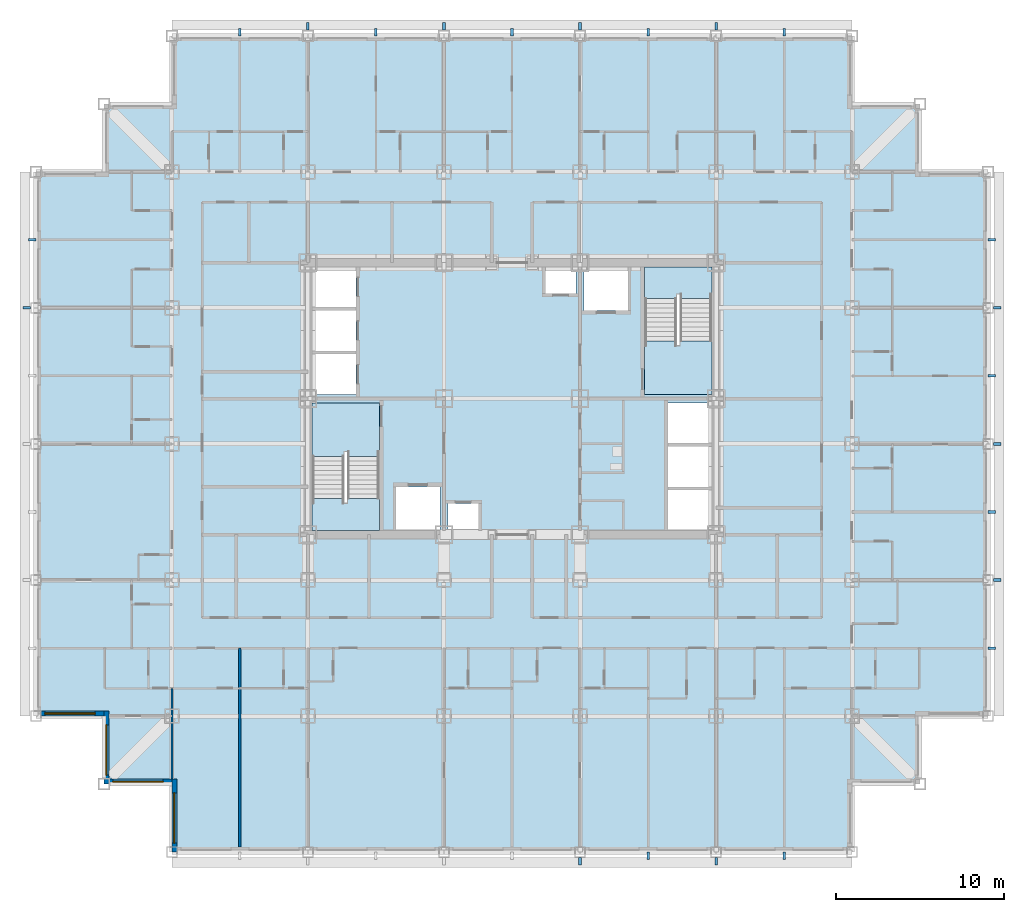
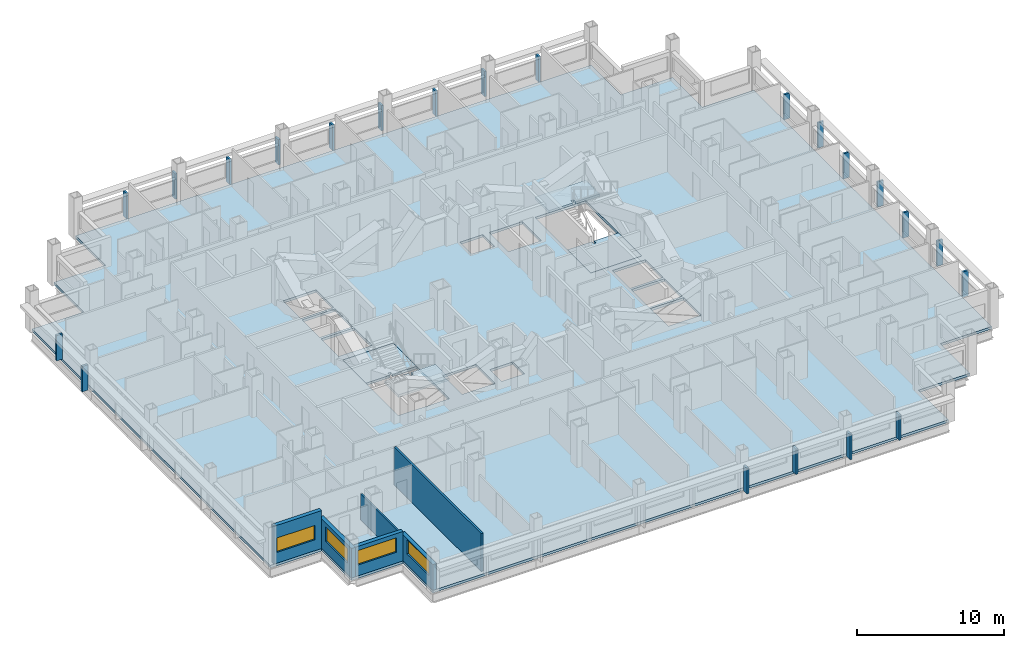
# One storey, part 3 of 15: 22 plates, 6 walls, 5 slabs, 4 windows, 4 openings, 2 elements without a shape of their own.
"""IFC4 building model written with IfcOpenShell, lengths in metres."""

import ifcopenshell
import ifcopenshell.guid

model = None  # the IFC model being written
_history = None  # IfcOwnerHistory: only IFC2X3 demands one
_inside = {}  # id of a spatial element -> (the spatial element, [elements in it])
_under = {}  # id of a project, library or spatial element -> (it, [spatial elements below it])
_declared = {}  # id of a project -> (the project, [libraries it declares])
_typed = {}  # id of a type object -> (the type object, [elements of that type])
_made_of = {}  # id of a material, layer set ... -> (it, [elements and type objects made of it])


def new_model(schema):
    """Start an empty IFC model of exactly this schema.

    Asked for "IFC4X3", IfcOpenShell would pick the latest addendum, in which some entities
    have other attributes; the version numbers below select the first issue.
    IFC2X3 requires an IfcOwnerHistory on every rooted entity: one is made here for all.
    """
    global model, _history
    if schema == "IFC4X3":
        model = ifcopenshell.file(schema_version=(4, 3, 0, 0))
    else:
        model = ifcopenshell.file(schema=schema)
    _inside.clear()
    _under.clear()
    _declared.clear()
    _typed.clear()
    _made_of.clear()
    _history = None
    if model.schema == "IFC2X3":
        org = make("IfcOrganization", Name="unknown")
        user = make(
            "IfcPersonAndOrganization",
            ThePerson=make("IfcPerson", FamilyName="unknown"),
            TheOrganization=org,
        )
        app = make(
            "IfcApplication",
            ApplicationDeveloper=org,
            Version="unknown",
            ApplicationFullName="unknown",
            ApplicationIdentifier="unknown",
        )
        _history = make(
            "IfcOwnerHistory",
            OwningUser=user,
            OwningApplication=app,
            ChangeAction="ADDED",
            CreationDate=0,
        )
    return model


def make(cls, **values):
    """One entity of the class cls with the attributes given. An attribute that is None is left unset."""
    return model.create_entity(
        cls, **{name: value for name, value in values.items() if value is not None}
    )


def rooted(cls, **values):
    """An entity with a GlobalId (a new one), such as an element, a storey or a relation."""
    return make(cls, GlobalId=ifcopenshell.guid.new(), OwnerHistory=_history, **values)


def si_unit(unit_type, name, prefix=None):
    """IfcSIUnit, for example si_unit("LENGTHUNIT", "METRE", prefix="MILLI")."""
    return make("IfcSIUnit", UnitType=unit_type, Prefix=prefix, Name=name)


def assignment(units):
    """IfcUnitAssignment: the units of a project."""
    return None if units is None else make("IfcUnitAssignment", Units=units)


def point(xyz):
    """IfcCartesianPoint."""
    return None if xyz is None else make("IfcCartesianPoint", Coordinates=xyz)


def direction(xyz):
    """IfcDirection."""
    return None if xyz is None else make("IfcDirection", DirectionRatios=xyz)


def frame(location, z_axis=None, x_axis=None):
    """IfcAxis2Placement3D, a coordinate frame: its origin and axes. An axis left out is left unset."""
    return make(
        "IfcAxis2Placement3D",
        Location=point(location),
        Axis=direction(z_axis),
        RefDirection=direction(x_axis),
    )


def frame_2d(location, x_axis=None):
    """IfcAxis2Placement2D, a coordinate frame in the plane: its origin and x axis."""
    return make(
        "IfcAxis2Placement2D", Location=point(location), RefDirection=direction(x_axis)
    )


def origin():
    """The frame at (0, 0, 0) with its axes left unset."""
    return frame((0.0, 0.0, 0.0))


def origin_2d():
    """The frame at (0, 0) in the plane with its x axis left unset."""
    return frame_2d((0.0, 0.0))


def place(relative_to, where):
    """IfcLocalPlacement: puts the frame where relative to a parent placement (None: the world)."""
    return make(
        "IfcLocalPlacement", PlacementRelTo=relative_to, RelativePlacement=where
    )


def context(
    kind, dimensions, precision=None, world=None, true_north=None, identifier=None
):
    """IfcGeometricRepresentationContext, for example the 3D "Model" context."""
    return make(
        "IfcGeometricRepresentationContext",
        ContextIdentifier=identifier,
        ContextType=kind,
        CoordinateSpaceDimension=dimensions,
        Precision=precision,
        WorldCoordinateSystem=world,
        TrueNorth=true_north,
    )


def subcontext(parent, identifier, kind, view, scale=None):
    """IfcGeometricRepresentationSubContext, for example "Body" below "Model"."""
    return make(
        "IfcGeometricRepresentationSubContext",
        ContextIdentifier=identifier,
        ContextType=kind,
        ParentContext=parent,
        TargetScale=scale,
        TargetView=view,
    )


def project(units=None, contexts=None):
    """IfcProject with its units and contexts."""
    return rooted(
        "IfcProject",
        Name="project",
        RepresentationContexts=contexts,
        UnitsInContext=assignment(units),
    )


def spatial(cls, under=None, at=None, **own):
    """A site, building, storey or space (cls), placed at a placement, below another one or the project."""
    s = rooted(cls, ObjectPlacement=at, **own)
    if under is not None:
        _under.setdefault(under.id(), (under, []))[1].append(s)
    return s


def polyline(points):
    """IfcPolyline through the points."""
    return make("IfcPolyline", Points=[point(p) for p in points])


def profile(cls, at=None, kind="AREA", **sizes):
    """A parametric profile (cls). Its sizes go by their IFC names, for example OverallWidth=200.0."""
    return make(cls, ProfileType=kind, Position=at, **sizes)


def rectangle(**sizes):
    """IfcRectangleProfileDef."""
    return profile("IfcRectangleProfileDef", **sizes)


def outline(outer, holes=None, kind="AREA"):
    """IfcArbitraryClosedProfileDef: a profile drawn as a closed curve; with holes, ...WithVoids."""
    if holes is None:
        return make("IfcArbitraryClosedProfileDef", ProfileType=kind, OuterCurve=outer)
    return make(
        "IfcArbitraryProfileDefWithVoids",
        ProfileType=kind,
        OuterCurve=outer,
        InnerCurves=holes,
    )


def extrude(swept, where, along, depth):
    """IfcExtrudedAreaSolid: the profile swept, set in the frame where, extruded along a direction by depth."""
    return make(
        "IfcExtrudedAreaSolid",
        SweptArea=swept,
        Position=where,
        ExtrudedDirection=direction(along),
        Depth=depth,
    )


def shape(context_of_items, identifier, shape_type, items):
    """IfcShapeRepresentation: the items that make up one representation, for example the "Body"."""
    return make(
        "IfcShapeRepresentation",
        ContextOfItems=context_of_items,
        RepresentationIdentifier=identifier,
        RepresentationType=shape_type,
        Items=items,
    )


def material(Name=None, Category=None):
    """IfcMaterial."""
    return make("IfcMaterial", Name=Name, Category=Category)


def layer(
    of_material, thickness, ventilated=None, Name=None, Category=None, Priority=None
):
    """IfcMaterialLayer: one layer of a wall or slab, of a material (None: an air gap)."""
    return make(
        "IfcMaterialLayer",
        Material=of_material,
        LayerThickness=thickness,
        IsVentilated=ventilated,
        Name=Name,
        Category=Category,
        Priority=Priority,
    )


def layer_set(layers, Name=None):
    """IfcMaterialLayerSet."""
    return make("IfcMaterialLayerSet", MaterialLayers=layers, LayerSetName=Name)


def made_of(thing, what):
    """Note that an element or type object is made of a material, layer set ...; save() writes the relation."""
    if what is not None:
        _made_of.setdefault(what.id(), (what, []))[1].append(thing)
    return thing


def type_object(cls, material=None, **own):
    """A type object (cls), such as IfcWallType, which elements share."""
    return made_of(rooted(cls, **own), material)


def element(
    cls,
    number,
    at=None,
    inside=None,
    cuts=None,
    type_object=None,
    material=None,
    context=None,
    identifier="Body",
    shape_type=None,
    held_by="IfcProductDefinitionShape",
    body=None,
    shapes=None,
    **own,
):
    """One element of the class cls, such as IfcWall. Its Tag is "e" and its number.

    at: its placement. inside: the storey or other place that contains it. cuts: it is an
    opening in that element (IfcRelVoidsElement). A single representation is given by context,
    identifier, shape_type and body (its items); several are given by shapes. held_by: the class
    of the entity that holds the representations. save() writes the other relations.
    """
    e = rooted(cls, Tag="e%d" % number, ObjectPlacement=at, **own)
    if body is not None:
        shapes = [shape(context, identifier, shape_type, body)]
    if shapes is not None:
        e.Representation = make(held_by, Representations=shapes)
    if inside is not None:
        _inside.setdefault(inside.id(), (inside, []))[1].append(e)
    if cuts is not None:
        rooted(
            "IfcRelVoidsElement", RelatingBuildingElement=cuts, RelatedOpeningElement=e
        )
    if type_object is not None:
        _typed.setdefault(type_object.id(), (type_object, []))[1].append(e)
    return made_of(e, material)


def fill(opening, filler):
    """IfcRelFillsElement: the door or window that sits in an opening."""
    return rooted(
        "IfcRelFillsElement",
        RelatingOpeningElement=opening,
        RelatedBuildingElement=filler,
    )


def aggregate(whole, parts):
    """IfcRelAggregates: a whole, such as a stair, and the parts it consists of."""
    return rooted("IfcRelAggregates", RelatingObject=whole, RelatedObjects=parts)


def save(model, path):
    """Write the relations noted so far, then the file.

    IfcRelAggregates (storeys below a building ...), IfcRelContainedInSpatialStructure (elements
    in a storey), IfcRelDefinesByType, IfcRelAssociatesMaterial and IfcRelDeclares: one each for
    every whole, place, type object, material and project.
    """
    for whole, parts in _under.values():
        aggregate(whole, parts)
    for where, things in _inside.values():
        rooted(
            "IfcRelContainedInSpatialStructure",
            RelatedElements=things,
            RelatingStructure=where,
        )
    for kind, things in _typed.values():
        rooted("IfcRelDefinesByType", RelatedObjects=things, RelatingType=kind)
    for what, things in _made_of.values():
        rooted("IfcRelAssociatesMaterial", RelatedObjects=things, RelatingMaterial=what)
    for by, libraries in _declared.values():
        rooted("IfcRelDeclares", RelatingContext=by, RelatedDefinitions=libraries)
    model.write(path)


model = new_model("IFC4")

# Units and contexts
model_context = context("Model", 3, precision=1e-05, world=origin(), true_north=direction((0.0, 1.0)))
body_context = subcontext(model_context, "Body", "Model", "MODEL_VIEW")
ifc_project = project(units=[si_unit("LENGTHUNIT", "METRE"), si_unit("AREAUNIT", "SQUARE_METRE"), si_unit("VOLUMEUNIT", "CUBIC_METRE"), si_unit("PLANEANGLEUNIT", "RADIAN"), si_unit("MASSUNIT", "GRAM", prefix="KILO")], contexts=[model_context])

# Site, building, storey
site_placement = place(None, origin())
site = spatial("IfcSite", under=ifc_project, at=site_placement, CompositionType="ELEMENT")
building_placement = place(site_placement, origin())
building = spatial("IfcBuilding", under=site, at=building_placement, Name="Kopane Lantern Tower", CompositionType="ELEMENT")
storey_placement = place(building_placement, frame((0.0, 0.0, 154.39990234375)))
storey = spatial("IfcBuildingStorey", under=building, at=storey_placement, Name="L40", CompositionType="ELEMENT", Elevation=154.39990234375)

# Slab
ifc_material_1 = material(Name="Concrete C40/50", Category="concrete")
ifc_layer_1 = layer(ifc_material_1, 0.2099609375)
ifc_layer_set_1 = layer_set([ifc_layer_1], Name="SLAB 210 COMPOSITE")
slab_type_1 = type_object("IfcSlabType", Name="SLAB 210 COMPOSITE", PredefinedType="FLOOR", material=ifc_layer_set_1)
slab_1_placement = place(storey_placement, frame((0.0, 0.0, -0.2099609375)))
element("IfcSlab", 1, at=slab_1_placement, inside=storey, type_object=slab_type_1, Name="Floor slab L40", PredefinedType="FLOOR", context=body_context, shape_type="SweptSolid", body=[
    extrude(outline(polyline([(8.10009765625, 5.39990234375), (48.60009765625, 5.39990234375), (48.60009765625, 9.449951171875), (52.64990234375, 9.449951171875), (52.64990234375, 13.5), (56.699951171875, 13.5), (56.699951171875, 45.89990234375), (52.64990234375, 45.89990234375), (52.64990234375, 49.949951171875), (48.60009765625, 49.949951171875), (48.60009765625, 54.0), (8.10009765625, 54.0), (8.10009765625, 49.949951171875), (4.050048828125, 49.949951171875), (4.050048828125, 45.89990234375), (0.0, 45.89990234375), (0.0, 13.5), (4.050048828125, 13.5), (4.050048828125, 9.449951171875), (8.10009765625, 9.449951171875), (8.10009765625, 5.39990234375)]), holes=[polyline([(16.449951171875, 24.550048828125), (20.449951171875, 24.550048828125), (20.449951171875, 32.14990234375), (16.449951171875, 32.14990234375), (16.449951171875, 24.550048828125)]), polyline([(36.25, 32.64990234375), (40.25, 32.64990234375), (40.25, 40.25), (36.25, 40.25), (36.25, 32.64990234375)]), polyline([(16.449951171875, 32.64990234375), (19.050048828125, 32.64990234375), (19.050048828125, 35.050048828125), (16.449951171875, 35.050048828125), (16.449951171875, 32.64990234375)]), polyline([(16.449951171875, 35.25), (19.050048828125, 35.25), (19.050048828125, 37.64990234375), (16.449951171875, 37.64990234375), (16.449951171875, 35.25)]), polyline([(16.449951171875, 37.85009765625), (19.050048828125, 37.85009765625), (19.050048828125, 40.25), (16.449951171875, 40.25), (16.449951171875, 37.85009765625)]), polyline([(37.64990234375, 24.550048828125), (40.25, 24.550048828125), (40.25, 26.949951171875), (37.64990234375, 26.949951171875), (37.64990234375, 24.550048828125)]), polyline([(37.64990234375, 27.14990234375), (40.25, 27.14990234375), (40.25, 29.550048828125), (37.64990234375, 29.550048828125), (37.64990234375, 27.14990234375)]), polyline([(37.64990234375, 29.75), (40.25, 29.75), (40.25, 32.14990234375), (37.64990234375, 32.14990234375), (37.64990234375, 29.75)]), polyline([(21.449951171875, 24.550048828125), (24.050048828125, 24.550048828125), (24.050048828125, 27.14990234375), (21.449951171875, 27.14990234375), (21.449951171875, 24.550048828125)]), polyline([(32.64990234375, 37.64990234375), (35.25, 37.64990234375), (35.25, 40.25), (32.64990234375, 40.25), (32.64990234375, 37.64990234375)]), polyline([(24.550048828125, 24.550048828125), (26.35009765625, 24.550048828125), (26.35009765625, 26.14990234375), (24.550048828125, 26.14990234375), (24.550048828125, 24.550048828125)]), polyline([(30.35009765625, 38.64990234375), (32.14990234375, 38.64990234375), (32.14990234375, 40.25), (30.35009765625, 40.25), (30.35009765625, 38.64990234375)])]), origin(), (0.0, 0.0, 1.0), 0.2099609375),
])

# Stair, slabs
ifc_material_2 = material(Name="Steel S355JR", Category="steel")
stair_type = type_object("IfcStairType", Name="EXIT STAIR 1900 HALF TURN", PredefinedType="HALF_TURN_STAIR", material=ifc_material_2)
stair_1_placement = place(storey_placement, origin())
stair_1 = element("IfcStair", 2, at=stair_1_placement, inside=storey, type_object=stair_type, Name="Exit stair ST1 L40", PredefinedType="HALF_TURN_STAIR")
ifc_material_3 = material(Name="Concrete C40/50", Category="concrete")
ifc_layer_2 = layer(ifc_material_3, 0.199951171875)
ifc_layer_set_2 = layer_set([ifc_layer_2], Name="STAIR LANDING 200")
slab_type_2 = type_object("IfcSlabType", Name="STAIR LANDING 200", PredefinedType="LANDING", material=ifc_layer_set_2)
slab_2_placement = place(storey_placement, frame((0.0, 0.0, -0.199951171875)))
slab_2 = element("IfcSlab", 3, at=slab_2_placement, type_object=slab_type_2, Name="ST1 landing 1", PredefinedType="LANDING", context=body_context, shape_type="SweptSolid", body=[
    extrude(outline(polyline([(18.35009765625, 29.25), (18.550048828125, 29.25), (18.550048828125, 28.969970703125), (20.449951171875, 28.969970703125), (20.449951171875, 32.14990234375), (16.449951171875, 32.14990234375), (16.449951171875, 28.969970703125), (18.35009765625, 28.969970703125), (18.35009765625, 29.25)])), origin(), (0.0, 0.0, 1.0), 0.199951171875),
])
slab_3_placement = place(storey_placement, frame((0.0, 0.0, 1.5)))
slab_3 = element("IfcSlab", 4, at=slab_3_placement, type_object=slab_type_2, Name="ST1 landing 2", PredefinedType="LANDING", context=body_context, shape_type="SweptSolid", body=[
    extrude(outline(polyline([(20.449951171875, 26.449951171875), (18.550048828125, 26.449951171875), (18.550048828125, 26.169921875), (18.35009765625, 26.169921875), (18.35009765625, 26.449951171875), (16.449951171875, 26.449951171875), (16.449951171875, 24.550048828125), (20.449951171875, 24.550048828125), (20.449951171875, 26.449951171875)])), origin(), (0.0, 0.0, 1.0), 0.2001953125),
])
aggregate(stair_1, [slab_2, slab_3])

stair_2_placement = place(storey_placement, origin())
stair_2 = element("IfcStair", 5, at=stair_2_placement, inside=storey, type_object=stair_type, Name="Exit stair ST2 L40", PredefinedType="HALF_TURN_STAIR")
slab_4_placement = place(storey_placement, frame((0.0, 0.0, -0.199951171875)))
slab_4 = element("IfcSlab", 6, at=slab_4_placement, type_object=slab_type_2, Name="ST2 landing 1", PredefinedType="LANDING", context=body_context, shape_type="SweptSolid", body=[
    extrude(outline(polyline([(40.25, 35.830078125), (38.35009765625, 35.830078125), (38.35009765625, 35.550048828125), (38.14990234375, 35.550048828125), (38.14990234375, 35.830078125), (36.25, 35.830078125), (36.25, 32.64990234375), (40.25, 32.64990234375), (40.25, 35.830078125)])), origin(), (0.0, 0.0, 1.0), 0.199951171875),
])
slab_5_placement = place(storey_placement, frame((0.0, 0.0, 1.5)))
slab_5 = element("IfcSlab", 7, at=slab_5_placement, type_object=slab_type_2, Name="ST2 landing 2", PredefinedType="LANDING", context=body_context, shape_type="SweptSolid", body=[
    extrude(outline(polyline([(38.14990234375, 38.6298828125), (38.35009765625, 38.6298828125), (38.35009765625, 38.35009765625), (40.25, 38.35009765625), (40.25, 40.25), (36.25, 40.25), (36.25, 38.35009765625), (38.14990234375, 38.35009765625), (38.14990234375, 38.6298828125)])), origin(), (0.0, 0.0, 1.0), 0.2001953125),
])
aggregate(stair_2, [slab_4, slab_5])

# Plates
ifc_material_4 = material(Name="Terracotta rainscreen on light steel framing", Category="masonry")
ifc_layer_3 = layer(ifc_material_4, 0.14990234375)
ifc_layer_set_3 = layer_set([ifc_layer_3], Name="TERRACOTTA FIN TF1 150x450")
plate_type = type_object("IfcPlateType", Name="TERRACOTTA FIN TF1 150x450", PredefinedType="USERDEFINED", material=ifc_layer_set_3)
for number, where, z_axis, x_axis, name in (
    (8, (32.39990234375, 4.85009765625, 0.0), (0.0, 0.0, 1.0), (1.0, 0.0, 0.0), "Terracotta fin L40"),
    (9, (36.449951171875, 5.175048828125, 0.0), (0.0, 0.0, 1.0), (1.0, 0.0, 0.0), "Terracotta fin L40"),
    (10, (40.5, 4.85009765625, 0.0), (0.0, 0.0, 1.0), (1.0, 0.0, 0.0), "Terracotta fin L40"),
    (11, (44.550048828125, 5.175048828125, 0.0), (0.0, 0.0, 1.0), (1.0, 0.0, 0.0), "Terracotta fin L40"),
    (12, (56.925048828125, 17.550048828125, 0.0), (0.0, 0.0, 1.0), (0.0, 1.0, 0.0), "Terracotta fin L40"),
    (13, (57.25, 21.60009765625, 0.0), (0.0, 0.0, 1.0), (0.0, 1.0, 0.0), "Terracotta fin L40"),
    (14, (56.925048828125, 25.64990234375, 0.0), (0.0, 0.0, 1.0), (0.0, 1.0, 0.0), "Terracotta fin L40"),
    (15, (57.25, 29.699951171875, 0.0), (0.0, 0.0, 1.0), (0.0, 1.0, 0.0), "Terracotta fin L40"),
    (16, (56.925048828125, 33.75, 0.0), (0.0, 0.0, 1.0), (0.0, 1.0, 0.0), "Terracotta fin L40"),
    (17, (57.25, 37.800048828125, 0.0), (0.0, 0.0, 1.0), (0.0, 1.0, 0.0), "Terracotta fin L40"),
    (18, (56.925048828125, 41.85009765625, 0.0), (0.0, 0.0, 1.0), (0.0, 1.0, 0.0), "Terracotta fin L40"),
    (19, (44.550048828125, 54.22509765625, 0.0), (0.0, 0.0, 1.0), (-1.0, 0.0, 0.0), "Terracotta fin L40"),
    (20, (40.5, 54.574951171875, 0.0), (0.0, 0.0, 1.0), (-1.0, 0.0, 0.0), "Terracotta fin L40"),
    (21, (36.449951171875, 54.22509765625, 0.0), (0.0, 0.0, 1.0), (-1.0, 0.0, 0.0), "Terracotta fin L40"),
    (22, (32.39990234375, 54.574951171875, 0.0), (0.0, 0.0, 1.0), (-1.0, 0.0, 0.0), "Terracotta fin L40"),
    (23, (28.35009765625, 54.22509765625, 0.0), (0.0, 0.0, 1.0), (-1.0, 0.0, 0.0), "Terracotta fin L40"),
    (24, (24.300048828125, 54.574951171875, 0.0), (0.0, 0.0, 1.0), (-1.0, 0.0, 0.0), "Terracotta fin L40"),
    (25, (20.25, 54.22509765625, 0.0), (0.0, 0.0, 1.0), (-1.0, 0.0, 0.0), "Terracotta fin L40"),
    (26, (16.199951171875, 54.574951171875, 0.0), (0.0, 0.0, 1.0), (-1.0, 0.0, 0.0), "Terracotta fin L40"),
    (27, (12.14990234375, 54.22509765625, 0.0), (0.0, 0.0, 1.0), (-1.0, 0.0, 0.0), "Terracotta fin L40"),
    (28, (-0.22509765625, 41.85009765625, 0.0), (0.0, 0.0, 1.0), (0.0, -1.0, 0.0), "Terracotta fin L40"),
    (29, (-0.550048828125, 37.800048828125, 0.0), (0.0, 0.0, 1.0), (0.0, -1.0, 0.0), "Terracotta fin L40"),
):
    element("IfcPlate", number, at=place(storey_placement, frame(where, z_axis=z_axis, x_axis=x_axis)), inside=storey, type_object=plate_type, Name=name, ObjectType="TERRACOTTA FIN", PredefinedType="USERDEFINED", context=body_context, shape_type="SweptSolid", body=[
        extrude(rectangle(XDim=0.14990234375, YDim=0.449951171875, at=origin_2d()), origin(), (0.0, 0.0, 1.0), 2.10009765625),
    ])

# Walls
ifc_material_5 = material(Name="Gypsum board on steel studs", Category="steel")
ifc_layer_4 = layer(ifc_material_5, 0.1201171875)
ifc_layer_set_4 = layer_set([ifc_layer_4], Name="APARTMENT INTERNAL WALL 120")
wall_type_1 = type_object("IfcWallType", Name="APARTMENT INTERNAL WALL 120", PredefinedType="PARTITIONING", material=ifc_layer_set_4)
wall_1_placement = place(storey_placement, frame((8.10009765625, 15.14990234375, 0.0), z_axis=(0.0, 0.0, 1.0), x_axis=(0.0, -1.0, 0.0)))
element("IfcWall", 30, at=wall_1_placement, inside=storey, type_object=wall_type_1, Name="Apartment Internal Wall 120 L40", PredefinedType="PARTITIONING", context=body_context, shape_type="SweptSolid", body=[
    extrude(rectangle(XDim=5.39990234375, YDim=0.1201171875, at=frame_2d((2.699951171875, 0.0))), origin(), (0.0, 0.0, 1.0), 2.150146484375),
])
ifc_material_6 = material(Name="Gypsum board on steel studs", Category="steel")
ifc_layer_5 = layer(ifc_material_6, 0.14990234375)
ifc_layer_set_5 = layer_set([ifc_layer_5], Name="DEMISING WALL 150 EI 60")
wall_type_2 = type_object("IfcWallType", Name="DEMISING WALL 150 EI 60", PredefinedType="PARTITIONING", material=ifc_layer_set_5)
wall_2_placement = place(storey_placement, frame((12.14990234375, 17.550048828125, 0.0), z_axis=(0.0, 0.0, 1.0), x_axis=(0.0, -1.0, 0.0)))
element("IfcWall", 31, at=wall_2_placement, inside=storey, type_object=wall_type_2, Name="Demising Wall 150 Ei 60 L40", PredefinedType="PARTITIONING", context=body_context, shape_type="SweptSolid", body=[
    extrude(rectangle(XDim=11.85009765625, YDim=0.14990234375, at=frame_2d((5.925048828125, 0.0))), origin(), (0.0, 0.0, 1.0), 3.150146484375),
])

# Wall, opening, window
ifc_material_7 = material(Name="Terracotta rainscreen on light steel framing", Category="masonry")
ifc_layer_6 = layer(ifc_material_7, 0.300048828125)
ifc_layer_set_6 = layer_set([ifc_layer_6], Name="EXTERNAL WALL EW1 300 TERRACOTTA")
wall_type_3 = type_object("IfcWallType", Name="EXTERNAL WALL EW1 300 TERRACOTTA", PredefinedType="SOLIDWALL", material=ifc_layer_set_6)
wall_3_placement = place(storey_placement, frame((0.300048828125, 13.64990234375, 0.0), z_axis=(0.0, 0.0, 1.0), x_axis=(1.0, 0.0, 0.0)))
wall_3 = element("IfcWall", 32, at=wall_3_placement, inside=storey, type_object=wall_type_3, Name="External wall S L40", PredefinedType="SOLIDWALL", context=body_context, shape_type="SweptSolid", body=[
    extrude(rectangle(XDim=3.75, YDim=0.300048828125, at=frame_2d((1.875, 0.0))), origin(), (0.0, 0.0, 1.0), 3.150146484375),
])
opening_1_placement = place(wall_3_placement, frame((0.22509765625, 0.0, 0.89990234375)))
opening_1 = element("IfcOpeningElement", 33, at=opening_1_placement, cuts=wall_3, Name="Opening WR300120", PredefinedType="OPENING", context=body_context, shape_type="SweptSolid", body=[
    extrude(rectangle(XDim=3.0, YDim=1.199951171875, at=frame_2d((1.5, 0.60009765625))), frame((0.0, 0.159912109375, 0.0), z_axis=(0.0, -1.0, 0.0), x_axis=(1.0, 0.0, 0.0)), (0.0, 0.0, 1.0), 0.320068359375),
])
ifc_material_8 = material(Name="Aluminium and clear glass", Category="aluminium")
window_type = type_object("IfcWindowType", Name="RIBBON WINDOW WR300120 3000x1200", PartitioningType="SINGLE_PANEL", PredefinedType="WINDOW", material=ifc_material_8)
window_1_placement = place(opening_1_placement, origin())
window_1 = element("IfcWindow", 34, at=window_1_placement, inside=storey, type_object=window_type, Name="Window S L40", OverallHeight=1.199951171875, OverallWidth=3.0, PartitioningType="SINGLE_PANEL", PredefinedType="WINDOW", context=body_context, shape_type="SweptSolid", body=[
    extrude(rectangle(XDim=3.0, YDim=1.199951171875, at=frame_2d((1.5, 0.60009765625))), frame((0.0, 0.030029296875, 0.0), z_axis=(0.0, -1.0, 0.0), x_axis=(1.0, 0.0, 0.0)), (0.0, 0.0, 1.0), 0.06005859375),
])
fill(opening_1, window_1)

wall_4_placement = place(storey_placement, frame((4.199951171875, 13.800048828125, 0.0), z_axis=(0.0, 0.0, 1.0), x_axis=(0.0, -1.0, 0.0)))
wall_4 = element("IfcWall", 35, at=wall_4_placement, inside=storey, type_object=wall_type_3, Name="External wall W L40", PredefinedType="SOLIDWALL", context=body_context, shape_type="SweptSolid", body=[
    extrude(rectangle(XDim=4.35009765625, YDim=0.300048828125, at=frame_2d((2.175048828125, 0.0))), origin(), (0.0, 0.0, 1.0), 2.4501953125),
])
opening_2_placement = place(wall_4_placement, frame((0.824951171875, 0.0, 0.89990234375)))
opening_2 = element("IfcOpeningElement", 36, at=opening_2_placement, cuts=wall_4, Name="Opening WR300120", PredefinedType="OPENING", context=body_context, shape_type="SweptSolid", body=[
    extrude(rectangle(XDim=3.0, YDim=1.199951171875, at=frame_2d((1.5, 0.60009765625))), frame((0.0, 0.159912109375, 0.0), z_axis=(0.0, -1.0, 0.0), x_axis=(1.0, 0.0, 0.0)), (0.0, 0.0, 1.0), 0.320068359375),
])
window_2_placement = place(opening_2_placement, origin())
window_2 = element("IfcWindow", 37, at=window_2_placement, inside=storey, type_object=window_type, Name="Window W L40", OverallHeight=1.199951171875, OverallWidth=3.0, PartitioningType="SINGLE_PANEL", PredefinedType="WINDOW", context=body_context, shape_type="SweptSolid", body=[
    extrude(rectangle(XDim=3.0, YDim=1.199951171875, at=frame_2d((1.5, 0.60009765625))), frame((0.0, 0.030029296875, 0.0), z_axis=(0.0, -1.0, 0.0), x_axis=(1.0, 0.0, 0.0)), (0.0, 0.0, 1.0), 0.06005859375),
])
fill(opening_2, window_2)

wall_5_placement = place(storey_placement, frame((4.35009765625, 9.60009765625, 0.0), z_axis=(0.0, 0.0, 1.0), x_axis=(1.0, 0.0, 0.0)))
wall_5 = element("IfcWall", 38, at=wall_5_placement, inside=storey, type_object=wall_type_3, Name="External wall S L40", PredefinedType="SOLIDWALL", context=body_context, shape_type="SweptSolid", body=[
    extrude(rectangle(XDim=3.75, YDim=0.300048828125, at=frame_2d((1.875, 0.0))), origin(), (0.0, 0.0, 1.0), 2.4501953125),
])
opening_3_placement = place(wall_5_placement, frame((0.22509765625, 0.0, 0.89990234375)))
opening_3 = element("IfcOpeningElement", 39, at=opening_3_placement, cuts=wall_5, Name="Opening WR300120", PredefinedType="OPENING", context=body_context, shape_type="SweptSolid", body=[
    extrude(rectangle(XDim=3.0, YDim=1.199951171875, at=frame_2d((1.5, 0.60009765625))), frame((0.0, 0.159912109375, 0.0), z_axis=(0.0, -1.0, 0.0), x_axis=(1.0, 0.0, 0.0)), (0.0, 0.0, 1.0), 0.320068359375),
])
window_3_placement = place(opening_3_placement, origin())
window_3 = element("IfcWindow", 40, at=window_3_placement, inside=storey, type_object=window_type, Name="Window S L40", OverallHeight=1.199951171875, OverallWidth=3.0, PartitioningType="SINGLE_PANEL", PredefinedType="WINDOW", context=body_context, shape_type="SweptSolid", body=[
    extrude(rectangle(XDim=3.0, YDim=1.199951171875, at=frame_2d((1.5, 0.60009765625))), frame((0.0, 0.030029296875, 0.0), z_axis=(0.0, -1.0, 0.0), x_axis=(1.0, 0.0, 0.0)), (0.0, 0.0, 1.0), 0.06005859375),
])
fill(opening_3, window_3)

wall_6_placement = place(storey_placement, frame((8.25, 9.75, 0.0), z_axis=(0.0, 0.0, 1.0), x_axis=(0.0, -1.0, 0.0)))
wall_6 = element("IfcWall", 41, at=wall_6_placement, inside=storey, type_object=wall_type_3, Name="External wall W L40", PredefinedType="SOLIDWALL", context=body_context, shape_type="SweptSolid", body=[
    extrude(rectangle(XDim=4.35009765625, YDim=0.300048828125, at=frame_2d((2.175048828125, 0.0))), origin(), (0.0, 0.0, 1.0), 2.150146484375),
])
opening_4_placement = place(wall_6_placement, frame((0.824951171875, 0.0, 0.89990234375)))
opening_4 = element("IfcOpeningElement", 42, at=opening_4_placement, cuts=wall_6, Name="Opening WR300120", PredefinedType="OPENING", context=body_context, shape_type="SweptSolid", body=[
    extrude(rectangle(XDim=3.0, YDim=1.199951171875, at=frame_2d((1.5, 0.60009765625))), frame((0.0, 0.159912109375, 0.0), z_axis=(0.0, -1.0, 0.0), x_axis=(1.0, 0.0, 0.0)), (0.0, 0.0, 1.0), 0.320068359375),
])
window_4_placement = place(opening_4_placement, origin())
window_4 = element("IfcWindow", 43, at=window_4_placement, inside=storey, type_object=window_type, Name="Window W L40", OverallHeight=1.199951171875, OverallWidth=3.0, PartitioningType="SINGLE_PANEL", PredefinedType="WINDOW", context=body_context, shape_type="SweptSolid", body=[
    extrude(rectangle(XDim=3.0, YDim=1.199951171875, at=frame_2d((1.5, 0.60009765625))), frame((0.0, 0.030029296875, 0.0), z_axis=(0.0, -1.0, 0.0), x_axis=(1.0, 0.0, 0.0)), (0.0, 0.0, 1.0), 0.06005859375),
])
fill(opening_4, window_4)

save(model, "model.ifc")
